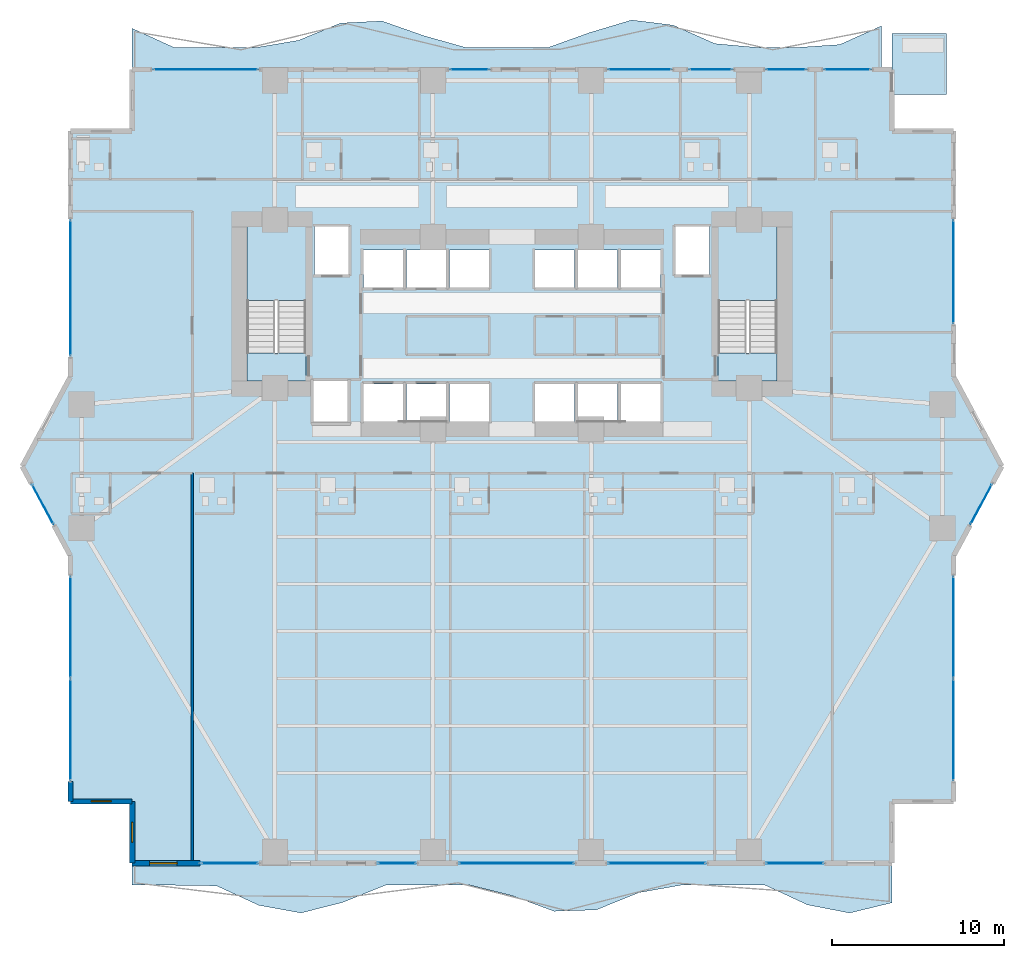
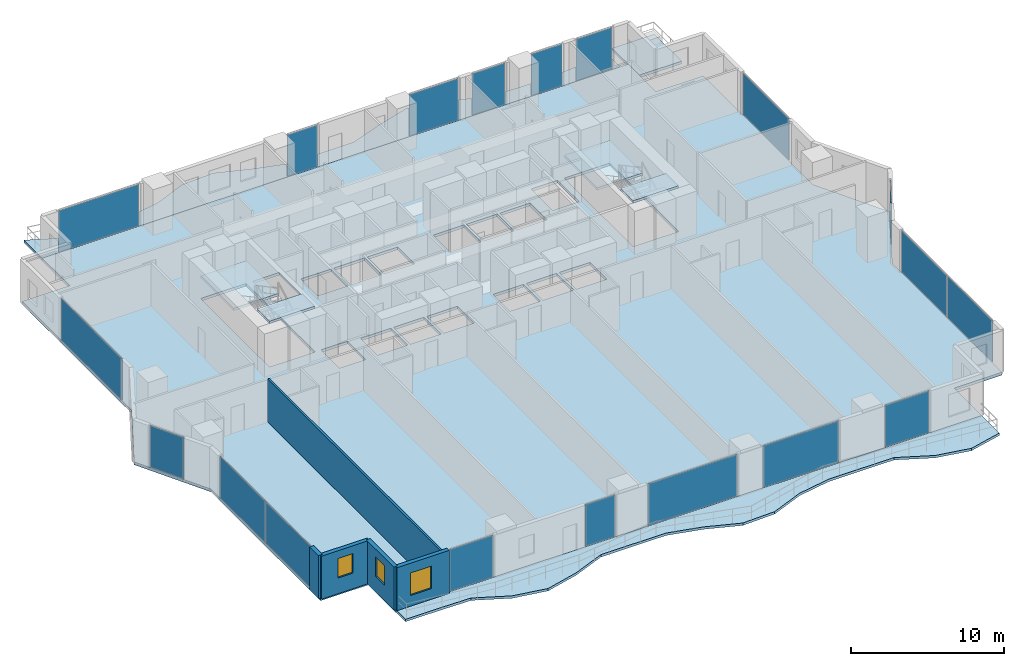
# One storey, part 18 of 28: 19 plates, 8 slabs, 5 walls, 3 windows, 3 openings, 19 elements without a shape of their own.
"""IFC4 building model written with IfcOpenShell, lengths in metres."""

import ifcopenshell
import ifcopenshell.guid

model = None  # the IFC model being written
_history = None  # IfcOwnerHistory: only IFC2X3 demands one
_inside = {}  # id of a spatial element -> (the spatial element, [elements in it])
_under = {}  # id of a project, library or spatial element -> (it, [spatial elements below it])
_declared = {}  # id of a project -> (the project, [libraries it declares])
_typed = {}  # id of a type object -> (the type object, [elements of that type])
_made_of = {}  # id of a material, layer set ... -> (it, [elements and type objects made of it])


def new_model(schema):
    """Start an empty IFC model of exactly this schema.

    Asked for "IFC4X3", IfcOpenShell would pick the latest addendum, in which some entities
    have other attributes; the version numbers below select the first issue.
    IFC2X3 requires an IfcOwnerHistory on every rooted entity: one is made here for all.
    """
    global model, _history
    if schema == "IFC4X3":
        model = ifcopenshell.file(schema_version=(4, 3, 0, 0))
    else:
        model = ifcopenshell.file(schema=schema)
    _inside.clear()
    _under.clear()
    _declared.clear()
    _typed.clear()
    _made_of.clear()
    _history = None
    if model.schema == "IFC2X3":
        org = make("IfcOrganization", Name="unknown")
        user = make(
            "IfcPersonAndOrganization",
            ThePerson=make("IfcPerson", FamilyName="unknown"),
            TheOrganization=org,
        )
        app = make(
            "IfcApplication",
            ApplicationDeveloper=org,
            Version="unknown",
            ApplicationFullName="unknown",
            ApplicationIdentifier="unknown",
        )
        _history = make(
            "IfcOwnerHistory",
            OwningUser=user,
            OwningApplication=app,
            ChangeAction="ADDED",
            CreationDate=0,
        )
    return model


def make(cls, **values):
    """One entity of the class cls with the attributes given. An attribute that is None is left unset."""
    return model.create_entity(
        cls, **{name: value for name, value in values.items() if value is not None}
    )


def rooted(cls, **values):
    """An entity with a GlobalId (a new one), such as an element, a storey or a relation."""
    return make(cls, GlobalId=ifcopenshell.guid.new(), OwnerHistory=_history, **values)


def si_unit(unit_type, name, prefix=None):
    """IfcSIUnit, for example si_unit("LENGTHUNIT", "METRE", prefix="MILLI")."""
    return make("IfcSIUnit", UnitType=unit_type, Prefix=prefix, Name=name)


def assignment(units):
    """IfcUnitAssignment: the units of a project."""
    return None if units is None else make("IfcUnitAssignment", Units=units)


def point(xyz):
    """IfcCartesianPoint."""
    return None if xyz is None else make("IfcCartesianPoint", Coordinates=xyz)


def direction(xyz):
    """IfcDirection."""
    return None if xyz is None else make("IfcDirection", DirectionRatios=xyz)


def frame(location, z_axis=None, x_axis=None):
    """IfcAxis2Placement3D, a coordinate frame: its origin and axes. An axis left out is left unset."""
    return make(
        "IfcAxis2Placement3D",
        Location=point(location),
        Axis=direction(z_axis),
        RefDirection=direction(x_axis),
    )


def frame_2d(location, x_axis=None):
    """IfcAxis2Placement2D, a coordinate frame in the plane: its origin and x axis."""
    return make(
        "IfcAxis2Placement2D", Location=point(location), RefDirection=direction(x_axis)
    )


def origin():
    """The frame at (0, 0, 0) with its axes left unset."""
    return frame((0.0, 0.0, 0.0))


def origin_2d():
    """The frame at (0, 0) in the plane with its x axis left unset."""
    return frame_2d((0.0, 0.0))


def place(relative_to, where):
    """IfcLocalPlacement: puts the frame where relative to a parent placement (None: the world)."""
    return make(
        "IfcLocalPlacement", PlacementRelTo=relative_to, RelativePlacement=where
    )


def context(
    kind, dimensions, precision=None, world=None, true_north=None, identifier=None
):
    """IfcGeometricRepresentationContext, for example the 3D "Model" context."""
    return make(
        "IfcGeometricRepresentationContext",
        ContextIdentifier=identifier,
        ContextType=kind,
        CoordinateSpaceDimension=dimensions,
        Precision=precision,
        WorldCoordinateSystem=world,
        TrueNorth=true_north,
    )


def subcontext(parent, identifier, kind, view, scale=None):
    """IfcGeometricRepresentationSubContext, for example "Body" below "Model"."""
    return make(
        "IfcGeometricRepresentationSubContext",
        ContextIdentifier=identifier,
        ContextType=kind,
        ParentContext=parent,
        TargetScale=scale,
        TargetView=view,
    )


def project(units=None, contexts=None):
    """IfcProject with its units and contexts."""
    return rooted(
        "IfcProject",
        Name="project",
        RepresentationContexts=contexts,
        UnitsInContext=assignment(units),
    )


def spatial(cls, under=None, at=None, **own):
    """A site, building, storey or space (cls), placed at a placement, below another one or the project."""
    s = rooted(cls, ObjectPlacement=at, **own)
    if under is not None:
        _under.setdefault(under.id(), (under, []))[1].append(s)
    return s


def polyline(points):
    """IfcPolyline through the points."""
    return make("IfcPolyline", Points=[point(p) for p in points])


def profile(cls, at=None, kind="AREA", **sizes):
    """A parametric profile (cls). Its sizes go by their IFC names, for example OverallWidth=200.0."""
    return make(cls, ProfileType=kind, Position=at, **sizes)


def rectangle(**sizes):
    """IfcRectangleProfileDef."""
    return profile("IfcRectangleProfileDef", **sizes)


def outline(outer, holes=None, kind="AREA"):
    """IfcArbitraryClosedProfileDef: a profile drawn as a closed curve; with holes, ...WithVoids."""
    if holes is None:
        return make("IfcArbitraryClosedProfileDef", ProfileType=kind, OuterCurve=outer)
    return make(
        "IfcArbitraryProfileDefWithVoids",
        ProfileType=kind,
        OuterCurve=outer,
        InnerCurves=holes,
    )


def extrude(swept, where, along, depth):
    """IfcExtrudedAreaSolid: the profile swept, set in the frame where, extruded along a direction by depth."""
    return make(
        "IfcExtrudedAreaSolid",
        SweptArea=swept,
        Position=where,
        ExtrudedDirection=direction(along),
        Depth=depth,
    )


def shape(context_of_items, identifier, shape_type, items):
    """IfcShapeRepresentation: the items that make up one representation, for example the "Body"."""
    return make(
        "IfcShapeRepresentation",
        ContextOfItems=context_of_items,
        RepresentationIdentifier=identifier,
        RepresentationType=shape_type,
        Items=items,
    )


def material(Name=None, Category=None):
    """IfcMaterial."""
    return make("IfcMaterial", Name=Name, Category=Category)


def layer(
    of_material, thickness, ventilated=None, Name=None, Category=None, Priority=None
):
    """IfcMaterialLayer: one layer of a wall or slab, of a material (None: an air gap)."""
    return make(
        "IfcMaterialLayer",
        Material=of_material,
        LayerThickness=thickness,
        IsVentilated=ventilated,
        Name=Name,
        Category=Category,
        Priority=Priority,
    )


def layer_set(layers, Name=None):
    """IfcMaterialLayerSet."""
    return make("IfcMaterialLayerSet", MaterialLayers=layers, LayerSetName=Name)


def made_of(thing, what):
    """Note that an element or type object is made of a material, layer set ...; save() writes the relation."""
    if what is not None:
        _made_of.setdefault(what.id(), (what, []))[1].append(thing)
    return thing


def type_object(cls, material=None, **own):
    """A type object (cls), such as IfcWallType, which elements share."""
    return made_of(rooted(cls, **own), material)


def element(
    cls,
    number,
    at=None,
    inside=None,
    cuts=None,
    type_object=None,
    material=None,
    context=None,
    identifier="Body",
    shape_type=None,
    held_by="IfcProductDefinitionShape",
    body=None,
    shapes=None,
    **own,
):
    """One element of the class cls, such as IfcWall. Its Tag is "e" and its number.

    at: its placement. inside: the storey or other place that contains it. cuts: it is an
    opening in that element (IfcRelVoidsElement). A single representation is given by context,
    identifier, shape_type and body (its items); several are given by shapes. held_by: the class
    of the entity that holds the representations. save() writes the other relations.
    """
    e = rooted(cls, Tag="e%d" % number, ObjectPlacement=at, **own)
    if body is not None:
        shapes = [shape(context, identifier, shape_type, body)]
    if shapes is not None:
        e.Representation = make(held_by, Representations=shapes)
    if inside is not None:
        _inside.setdefault(inside.id(), (inside, []))[1].append(e)
    if cuts is not None:
        rooted(
            "IfcRelVoidsElement", RelatingBuildingElement=cuts, RelatedOpeningElement=e
        )
    if type_object is not None:
        _typed.setdefault(type_object.id(), (type_object, []))[1].append(e)
    return made_of(e, material)


def fill(opening, filler):
    """IfcRelFillsElement: the door or window that sits in an opening."""
    return rooted(
        "IfcRelFillsElement",
        RelatingOpeningElement=opening,
        RelatedBuildingElement=filler,
    )


def aggregate(whole, parts):
    """IfcRelAggregates: a whole, such as a stair, and the parts it consists of."""
    return rooted("IfcRelAggregates", RelatingObject=whole, RelatedObjects=parts)


def save(model, path):
    """Write the relations noted so far, then the file.

    IfcRelAggregates (storeys below a building ...), IfcRelContainedInSpatialStructure (elements
    in a storey), IfcRelDefinesByType, IfcRelAssociatesMaterial and IfcRelDeclares: one each for
    every whole, place, type object, material and project.
    """
    for whole, parts in _under.values():
        aggregate(whole, parts)
    for where, things in _inside.values():
        rooted(
            "IfcRelContainedInSpatialStructure",
            RelatedElements=things,
            RelatingStructure=where,
        )
    for kind, things in _typed.values():
        rooted("IfcRelDefinesByType", RelatedObjects=things, RelatingType=kind)
    for what, things in _made_of.values():
        rooted("IfcRelAssociatesMaterial", RelatedObjects=things, RelatingMaterial=what)
    for by, libraries in _declared.values():
        rooted("IfcRelDeclares", RelatingContext=by, RelatedDefinitions=libraries)
    model.write(path)


model = new_model("IFC4")

# Units and contexts
model_context = context("Model", 3, precision=1e-05, world=origin(), true_north=direction((0.0, 1.0)))
body_context = subcontext(model_context, "Body", "Model", "MODEL_VIEW")
ifc_project = project(units=[si_unit("LENGTHUNIT", "METRE"), si_unit("AREAUNIT", "SQUARE_METRE"), si_unit("VOLUMEUNIT", "CUBIC_METRE"), si_unit("PLANEANGLEUNIT", "RADIAN"), si_unit("MASSUNIT", "GRAM", prefix="KILO")], contexts=[model_context])

# Site, building, storey
site_placement = place(None, origin())
site = spatial("IfcSite", under=ifc_project, at=site_placement, CompositionType="ELEMENT")
building_placement = place(site_placement, origin())
building = spatial("IfcBuilding", under=site, at=building_placement, Name="Zuhayl Quay Hotel", CompositionType="ELEMENT")
storey_placement = place(building_placement, frame((0.0, 0.0, 53.14990234375)))
storey = spatial("IfcBuildingStorey", under=building, at=storey_placement, Name="L12", CompositionType="ELEMENT", Elevation=53.14990234375)

# Curtain wall, plates
ifc_material_1 = material(Name="Anodised Aluminium 6063-T6", Category="aluminium")
ifc_layer_1 = layer(ifc_material_1, 0.18994140625, Name="Anodised Aluminium 6063-T6", Category="aluminium")
ifc_layer_set_1 = layer_set([ifc_layer_1], Name="Anodised Aluminium 6063-T6")
curtain_wall_type = type_object("IfcCurtainWallType", Name="CW_SYS_Z1", PredefinedType="USERDEFINED", material=ifc_layer_set_1)
curtain_wall_1_placement = place(storey_placement, origin())
curtain_wall_1 = element("IfcCurtainWall", 1, at=curtain_wall_1_placement, inside=storey, type_object=curtain_wall_type, Name="L12 Curtain Wall ENV_L12_E02_CW1", ObjectType="UNITISED CURTAIN WALL", PredefinedType="USERDEFINED")
ifc_material_2 = material(Name="Dark Ceramic-Fritted Solar Glass", Category="glass")
ifc_layer_2 = layer(ifc_material_2, 0.035888671875, Name="Dark Ceramic-Fritted Solar Glass", Category="glass")
ifc_layer_set_2 = layer_set([ifc_layer_2], Name="Dark Ceramic-Fritted Solar Glass")
plate_type = type_object("IfcPlateType", Name="PN_DARK_FRIT_Z1", PredefinedType="CURTAIN_PANEL", material=ifc_layer_set_2)
plate_1_placement = place(storey_placement, frame((-25.699951171875, -15.331298828125, 0.06005859375), z_axis=(0.0, 0.0, 1.0), x_axis=(0.0, 1.0, 0.0)))
plate_1 = element("IfcPlate", 2, at=plate_1_placement, type_object=plate_type, Name="CW-Z1 panel 1.1", PredefinedType="CURTAIN_PANEL", context=body_context, shape_type="SweptSolid", body=[
    extrude(rectangle(XDim=5.887451171875, YDim=0.035888671875, at=origin_2d()), origin(), (0.0, 0.0, 1.0), 3.31005859375),
])
plate_2_placement = place(storey_placement, frame((-25.699951171875, -9.36865234375, 0.06005859375), z_axis=(0.0, 0.0, 1.0), x_axis=(0.0, 1.0, 0.0)))
plate_2 = element("IfcPlate", 3, at=plate_2_placement, type_object=plate_type, Name="CW-Z1 panel 2.1", PredefinedType="CURTAIN_PANEL", context=body_context, shape_type="SweptSolid", body=[
    extrude(rectangle(XDim=5.887451171875, YDim=0.035888671875, at=origin_2d()), origin(), (0.0, 0.0, 1.0), 3.31005859375),
])
aggregate(curtain_wall_1, [plate_1, plate_2])

# Curtain wall, plate
curtain_wall_2_placement = place(storey_placement, origin())
curtain_wall_2 = element("IfcCurtainWall", 4, at=curtain_wall_2_placement, inside=storey, type_object=curtain_wall_type, Name="L12 Curtain Wall ENV_L12_E03_CW1", ObjectType="UNITISED CURTAIN WALL", PredefinedType="USERDEFINED")
plate_3_placement = place(storey_placement, frame((-27.306396484375, -2.216796875, 0.06005859375), z_axis=(0.0, 0.0, 1.0), x_axis=(-0.474091102632, 0.880475795468, 0.0)))
plate_3 = element("IfcPlate", 5, at=plate_3_placement, type_object=plate_type, Name="CW-Z1 panel 1.1", PredefinedType="CURTAIN_PANEL", context=body_context, shape_type="SweptSolid", body=[
    extrude(rectangle(XDim=2.58544921875, YDim=0.035888671875, at=origin_2d()), origin(), (0.0, 0.0, 1.0), 3.31005859375),
])
aggregate(curtain_wall_2, [plate_3])

curtain_wall_3_placement = place(storey_placement, origin())
curtain_wall_3 = element("IfcCurtainWall", 6, at=curtain_wall_3_placement, inside=storey, type_object=curtain_wall_type, Name="L12 Curtain Wall ENV_L12_E05_CW1", ObjectType="UNITISED CURTAIN WALL", PredefinedType="USERDEFINED")
plate_4_placement = place(storey_placement, frame((-25.699951171875, 10.375, 0.06005859375), z_axis=(0.0, 0.0, 1.0), x_axis=(0.0, 1.0, 0.0)))
plate_4 = element("IfcPlate", 7, at=plate_4_placement, type_object=plate_type, Name="CW-Z1 panel 1.1", PredefinedType="CURTAIN_PANEL", context=body_context, shape_type="SweptSolid", body=[
    extrude(rectangle(XDim=7.89990234375, YDim=0.035888671875, at=origin_2d()), origin(), (0.0, 0.0, 1.0), 3.31005859375),
])
aggregate(curtain_wall_3, [plate_4])

curtain_wall_4_placement = place(storey_placement, origin())
curtain_wall_4 = element("IfcCurtainWall", 8, at=curtain_wall_4_placement, inside=storey, type_object=curtain_wall_type, Name="L12 Curtain Wall ENV_L12_N_CW1", ObjectType="UNITISED CURTAIN WALL", PredefinedType="USERDEFINED")
plate_5_placement = place(storey_placement, frame((-17.8349609375, 23.10009765625, 0.06005859375), z_axis=(0.0, 0.0, 1.0), x_axis=(1.0, 0.0, 0.0)))
plate_5 = element("IfcPlate", 9, at=plate_5_placement, type_object=plate_type, Name="CW-Z1 panel 1.1", PredefinedType="CURTAIN_PANEL", context=body_context, shape_type="SweptSolid", body=[
    extrude(rectangle(XDim=6.080078125, YDim=0.035888671875, at=origin_2d()), origin(), (0.0, 0.0, 1.0), 3.31005859375),
])
aggregate(curtain_wall_4, [plate_5])

curtain_wall_5_placement = place(storey_placement, origin())
curtain_wall_5 = element("IfcCurtainWall", 10, at=curtain_wall_5_placement, inside=storey, type_object=curtain_wall_type, Name="L12 Curtain Wall ENV_L12_N_CW2", ObjectType="UNITISED CURTAIN WALL", PredefinedType="USERDEFINED")
plate_6_placement = place(storey_placement, frame((-2.467529296875, 23.10009765625, 0.06005859375), z_axis=(0.0, 0.0, 1.0), x_axis=(1.0, 0.0, 0.0)))
plate_6 = element("IfcPlate", 11, at=plate_6_placement, type_object=plate_type, Name="CW-Z1 panel 1.1", PredefinedType="CURTAIN_PANEL", context=body_context, shape_type="SweptSolid", body=[
    extrude(rectangle(XDim=2.27490234375, YDim=0.035888671875, at=origin_2d()), origin(), (0.0, 0.0, 1.0), 3.31005859375),
])
aggregate(curtain_wall_5, [plate_6])

curtain_wall_6_placement = place(storey_placement, origin())
curtain_wall_6 = element("IfcCurtainWall", 12, at=curtain_wall_6_placement, inside=storey, type_object=curtain_wall_type, Name="L12 Curtain Wall ENV_L12_N_CW3", ObjectType="UNITISED CURTAIN WALL", PredefinedType="USERDEFINED")
plate_7_placement = place(storey_placement, frame((7.43505859375, 23.10009765625, 0.06005859375), z_axis=(0.0, 0.0, 1.0), x_axis=(1.0, 0.0, 0.0)))
plate_7 = element("IfcPlate", 13, at=plate_7_placement, type_object=plate_type, Name="CW-Z1 panel 1.1", PredefinedType="CURTAIN_PANEL", context=body_context, shape_type="SweptSolid", body=[
    extrude(rectangle(XDim=3.679931640625, YDim=0.035888671875, at=origin_2d()), origin(), (0.0, 0.0, 1.0), 3.31005859375),
])
aggregate(curtain_wall_6, [plate_7])

curtain_wall_7_placement = place(storey_placement, origin())
curtain_wall_7 = element("IfcCurtainWall", 14, at=curtain_wall_7_placement, inside=storey, type_object=curtain_wall_type, Name="L12 Curtain Wall ENV_L12_N_CW4", ObjectType="UNITISED CURTAIN WALL", PredefinedType="USERDEFINED")
plate_8_placement = place(storey_placement, frame((11.56494140625, 23.10009765625, 0.06005859375), z_axis=(0.0, 0.0, 1.0), x_axis=(1.0, 0.0, 0.0)))
plate_8 = element("IfcPlate", 15, at=plate_8_placement, type_object=plate_type, Name="CW-Z1 panel 1.1", PredefinedType="CURTAIN_PANEL", context=body_context, shape_type="SweptSolid", body=[
    extrude(rectangle(XDim=2.47998046875, YDim=0.035888671875, at=origin_2d()), origin(), (0.0, 0.0, 1.0), 3.31005859375),
])
aggregate(curtain_wall_7, [plate_8])

curtain_wall_8_placement = place(storey_placement, origin())
curtain_wall_8 = element("IfcCurtainWall", 16, at=curtain_wall_8_placement, inside=storey, type_object=curtain_wall_type, Name="L12 Curtain Wall ENV_L12_N_CW5", ObjectType="UNITISED CURTAIN WALL", PredefinedType="USERDEFINED")
plate_9_placement = place(storey_placement, frame((15.955078125, 23.10009765625, 0.06005859375), z_axis=(0.0, 0.0, 1.0), x_axis=(1.0, 0.0, 0.0)))
plate_9 = element("IfcPlate", 17, at=plate_9_placement, type_object=plate_type, Name="CW-Z1 panel 1.1", PredefinedType="CURTAIN_PANEL", context=body_context, shape_type="SweptSolid", body=[
    extrude(rectangle(XDim=2.320068359375, YDim=0.035888671875, at=origin_2d()), origin(), (0.0, 0.0, 1.0), 3.31005859375),
])
aggregate(curtain_wall_8, [plate_9])

curtain_wall_9_placement = place(storey_placement, origin())
curtain_wall_9 = element("IfcCurtainWall", 18, at=curtain_wall_9_placement, inside=storey, type_object=curtain_wall_type, Name="L12 Curtain Wall ENV_L12_N_CW6", ObjectType="UNITISED CURTAIN WALL", PredefinedType="USERDEFINED")
plate_10_placement = place(storey_placement, frame((19.52001953125, 23.10009765625, 0.06005859375), z_axis=(0.0, 0.0, 1.0), x_axis=(1.0, 0.0, 0.0)))
plate_10 = element("IfcPlate", 19, at=plate_10_placement, type_object=plate_type, Name="CW-Z1 panel 1.1", PredefinedType="CURTAIN_PANEL", context=body_context, shape_type="SweptSolid", body=[
    extrude(rectangle(XDim=2.7099609375, YDim=0.035888671875, at=origin_2d()), origin(), (0.0, 0.0, 1.0), 3.31005859375),
])
aggregate(curtain_wall_9, [plate_10])

curtain_wall_10_placement = place(storey_placement, origin())
curtain_wall_10 = element("IfcCurtainWall", 20, at=curtain_wall_10_placement, inside=storey, type_object=curtain_wall_type, Name="L12 Curtain Wall ENV_L12_E11_CW1", ObjectType="UNITISED CURTAIN WALL", PredefinedType="USERDEFINED")
plate_11_placement = place(storey_placement, frame((25.699951171875, 11.324951171875, 0.06005859375), z_axis=(0.0, 0.0, 1.0), x_axis=(0.0, -1.0, 0.0)))
plate_11 = element("IfcPlate", 21, at=plate_11_placement, type_object=plate_type, Name="CW-Z1 panel 1.1", PredefinedType="CURTAIN_PANEL", context=body_context, shape_type="SweptSolid", body=[
    extrude(rectangle(XDim=6.0, YDim=0.035888671875, at=origin_2d()), origin(), (0.0, 0.0, 1.0), 3.31005859375),
])
aggregate(curtain_wall_10, [plate_11])

curtain_wall_11_placement = place(storey_placement, origin())
curtain_wall_11 = element("IfcCurtainWall", 22, at=curtain_wall_11_placement, inside=storey, type_object=curtain_wall_type, Name="L12 Curtain Wall ENV_L12_E13_CW1", ObjectType="UNITISED CURTAIN WALL", PredefinedType="USERDEFINED")
plate_12_placement = place(storey_placement, frame((27.306396484375, -2.216796875, 0.06005859375), z_axis=(0.0, 0.0, 1.0), x_axis=(-0.474091102632, -0.880475795468, 0.0)))
plate_12 = element("IfcPlate", 23, at=plate_12_placement, type_object=plate_type, Name="CW-Z1 panel 1.1", PredefinedType="CURTAIN_PANEL", context=body_context, shape_type="SweptSolid", body=[
    extrude(rectangle(XDim=2.58544921875, YDim=0.035888671875, at=origin_2d()), origin(), (0.0, 0.0, 1.0), 3.31005859375),
])
aggregate(curtain_wall_11, [plate_12])

# Curtain wall, plates
curtain_wall_12_placement = place(storey_placement, origin())
curtain_wall_12 = element("IfcCurtainWall", 24, at=curtain_wall_12_placement, inside=storey, type_object=curtain_wall_type, Name="L12 Curtain Wall ENV_L12_E14_CW1", ObjectType="UNITISED CURTAIN WALL", PredefinedType="USERDEFINED")
plate_13_placement = place(storey_placement, frame((25.699951171875, -9.36865234375, 0.06005859375), z_axis=(0.0, 0.0, 1.0), x_axis=(0.0, -1.0, 0.0)))
plate_13 = element("IfcPlate", 25, at=plate_13_placement, type_object=plate_type, Name="CW-Z1 panel 1.1", PredefinedType="CURTAIN_PANEL", context=body_context, shape_type="SweptSolid", body=[
    extrude(rectangle(XDim=5.887451171875, YDim=0.035888671875, at=origin_2d()), origin(), (0.0, 0.0, 1.0), 3.31005859375),
])
plate_14_placement = place(storey_placement, frame((25.699951171875, -15.331298828125, 0.06005859375), z_axis=(0.0, 0.0, 1.0), x_axis=(0.0, -1.0, 0.0)))
plate_14 = element("IfcPlate", 26, at=plate_14_placement, type_object=plate_type, Name="CW-Z1 panel 2.1", PredefinedType="CURTAIN_PANEL", context=body_context, shape_type="SweptSolid", body=[
    extrude(rectangle(XDim=5.887451171875, YDim=0.035888671875, at=origin_2d()), origin(), (0.0, 0.0, 1.0), 3.31005859375),
])
aggregate(curtain_wall_12, [plate_13, plate_14])

# Curtain wall, plate
curtain_wall_13_placement = place(storey_placement, origin())
curtain_wall_13 = element("IfcCurtainWall", 27, at=curtain_wall_13_placement, inside=storey, type_object=curtain_wall_type, Name="L12 Curtain Wall ENV_L12_S_CW1", ObjectType="UNITISED CURTAIN WALL", PredefinedType="USERDEFINED")
plate_15_placement = place(storey_placement, frame((16.455078125, -23.10009765625, 0.06005859375), z_axis=(0.0, 0.0, 1.0), x_axis=(-1.0, 0.0, 0.0)))
plate_15 = element("IfcPlate", 28, at=plate_15_placement, type_object=plate_type, Name="CW-Z1 panel 1.1", PredefinedType="CURTAIN_PANEL", context=body_context, shape_type="SweptSolid", body=[
    extrude(rectangle(XDim=3.320068359375, YDim=0.035888671875, at=origin_2d()), origin(), (0.0, 0.0, 1.0), 3.31005859375),
])
aggregate(curtain_wall_13, [plate_15])

curtain_wall_14_placement = place(storey_placement, origin())
curtain_wall_14 = element("IfcCurtainWall", 29, at=curtain_wall_14_placement, inside=storey, type_object=curtain_wall_type, Name="L12 Curtain Wall ENV_L12_S_CW2", ObjectType="UNITISED CURTAIN WALL", PredefinedType="USERDEFINED")
plate_16_placement = place(storey_placement, frame((8.43505859375, -23.10009765625, 0.06005859375), z_axis=(0.0, 0.0, 1.0), x_axis=(-1.0, 0.0, 0.0)))
plate_16 = element("IfcPlate", 30, at=plate_16_placement, type_object=plate_type, Name="CW-Z1 panel 1.1", PredefinedType="CURTAIN_PANEL", context=body_context, shape_type="SweptSolid", body=[
    extrude(rectangle(XDim=5.679931640625, YDim=0.035888671875, at=origin_2d()), origin(), (0.0, 0.0, 1.0), 3.31005859375),
])
aggregate(curtain_wall_14, [plate_16])

curtain_wall_15_placement = place(storey_placement, origin())
curtain_wall_15 = element("IfcCurtainWall", 31, at=curtain_wall_15_placement, inside=storey, type_object=curtain_wall_type, Name="L12 Curtain Wall ENV_L12_S_CW3", ObjectType="UNITISED CURTAIN WALL", PredefinedType="USERDEFINED")
plate_17_placement = place(storey_placement, frame((0.264892578125, -23.10009765625, 0.06005859375), z_axis=(0.0, 0.0, 1.0), x_axis=(-1.0, 0.0, 0.0)))
plate_17 = element("IfcPlate", 32, at=plate_17_placement, type_object=plate_type, Name="CW-Z1 panel 1.1", PredefinedType="CURTAIN_PANEL", context=body_context, shape_type="SweptSolid", body=[
    extrude(rectangle(XDim=6.679931640625, YDim=0.035888671875, at=origin_2d()), origin(), (0.0, 0.0, 1.0), 3.31005859375),
])
aggregate(curtain_wall_15, [plate_17])

curtain_wall_16_placement = place(storey_placement, origin())
curtain_wall_16 = element("IfcCurtainWall", 33, at=curtain_wall_16_placement, inside=storey, type_object=curtain_wall_type, Name="L12 Curtain Wall ENV_L12_S_CW4", ObjectType="UNITISED CURTAIN WALL", PredefinedType="USERDEFINED")
plate_18_placement = place(storey_placement, frame((-6.702392578125, -23.10009765625, 0.06005859375), z_axis=(0.0, 0.0, 1.0), x_axis=(-1.0, 0.0, 0.0)))
plate_18 = element("IfcPlate", 34, at=plate_18_placement, type_object=plate_type, Name="CW-Z1 panel 1.1", PredefinedType="CURTAIN_PANEL", context=body_context, shape_type="SweptSolid", body=[
    extrude(rectangle(XDim=2.215087890625, YDim=0.035888671875, at=origin_2d()), origin(), (0.0, 0.0, 1.0), 3.31005859375),
])
aggregate(curtain_wall_16, [plate_18])

curtain_wall_17_placement = place(storey_placement, origin())
curtain_wall_17 = element("IfcCurtainWall", 35, at=curtain_wall_17_placement, inside=storey, type_object=curtain_wall_type, Name="L12 Curtain Wall ENV_L12_S_CW5", ObjectType="UNITISED CURTAIN WALL", PredefinedType="USERDEFINED")
plate_19_placement = place(storey_placement, frame((-16.43505859375, -23.10009765625, 0.06005859375), z_axis=(0.0, 0.0, 1.0), x_axis=(-1.0, 0.0, 0.0)))
plate_19 = element("IfcPlate", 36, at=plate_19_placement, type_object=plate_type, Name="CW-Z1 panel 1.1", PredefinedType="CURTAIN_PANEL", context=body_context, shape_type="SweptSolid", body=[
    extrude(rectangle(XDim=3.280029296875, YDim=0.035888671875, at=origin_2d()), origin(), (0.0, 0.0, 1.0), 3.31005859375),
])
aggregate(curtain_wall_17, [plate_19])

# Slabs
ifc_material_3 = material(Name="Concrete C45/55", Category="concrete")
ifc_layer_3 = layer(ifc_material_3, 0.195068359375, Name="Concrete C45/55", Category="concrete")
ifc_layer_set_3 = layer_set([ifc_layer_3], Name="Concrete C45/55")
slab_type_1 = type_object("IfcSlabType", Name="SL_BALCONY_195", PredefinedType="FLOOR", material=ifc_layer_set_3)
slab_1_placement = place(storey_placement, frame((0.0, 0.0, -0.19482421875)))
element("IfcSlab", 37, at=slab_1_placement, inside=storey, type_object=slab_type_1, Name="L12 Exterior Rippling Balcony Slab North", PredefinedType="FLOOR", context=body_context, shape_type="SweptSolid", body=[
    extrude(outline(polyline([(-22.10009765625, 23.10009765625), (21.5, 23.10009765625), (21.5, 25.6337890625), (19.077880859375, 24.543701171875), (16.655517578125, 24.3798828125), (14.2333984375, 24.3798828125), (11.81103515625, 24.59765625), (9.388916015625, 25.671630859375), (6.966796875, 25.97265625), (4.54443359375, 25.248291015625), (2.122314453125, 24.3798828125), (-0.300048828125, 24.3798828125), (-2.72216796875, 24.3798828125), (-5.144287109375, 25.06298828125), (-7.566650390625, 25.9169921875), (-9.989013671875, 25.79248046875), (-12.4111328125, 24.793701171875), (-14.833251953125, 24.3798828125), (-17.255615234375, 24.3798828125), (-19.677734375, 24.3798828125), (-22.10009765625, 25.484619140625), (-22.10009765625, 23.10009765625)])), origin(), (0.0, 0.0, 1.0), 0.19482421875),
])
slab_2_placement = place(storey_placement, frame((0.0, 0.0, -0.19482421875)))
element("IfcSlab", 38, at=slab_2_placement, inside=storey, type_object=slab_type_1, Name="L12 Exterior Rippling Balcony Slab South", PredefinedType="FLOOR", context=body_context, shape_type="SweptSolid", body=[
    extrude(outline(polyline([(-22.10009765625, -24.3798828125), (-19.644287109375, -24.3798828125), (-17.18896484375, -24.416015625), (-14.7333984375, -25.54931640625), (-12.27783203125, -25.9951171875), (-9.822265625, -25.370361328125), (-7.36669921875, -24.3798828125), (-4.9111328125, -24.3798828125), (-2.45556640625, -24.3798828125), (0.0, -24.993896484375), (2.45556640625, -25.896240234375), (4.9111328125, -25.81298828125), (7.36669921875, -24.8154296875), (9.822265625, -24.3798828125), (12.27783203125, -24.3798828125), (14.7333984375, -24.3798828125), (17.18896484375, -25.51953125), (19.644287109375, -25.998046875), (22.10009765625, -25.403076171875), (22.10009765625, -23.10009765625), (-22.10009765625, -23.10009765625), (-22.10009765625, -24.3798828125)])), origin(), (0.0, 0.0, 1.0), 0.19482421875),
])
ifc_layer_4 = layer(ifc_material_3, 0.219970703125, Name="Concrete C45/55", Category="concrete")
ifc_layer_set_4 = layer_set([ifc_layer_4], Name="Concrete C45/55")
slab_type_2 = type_object("IfcSlabType", Name="SL_FLOOR_220", PredefinedType="FLOOR", material=ifc_layer_set_4)
slab_3_placement = place(storey_placement, frame((0.0, 0.0, -0.219970703125)))
element("IfcSlab", 39, at=slab_3_placement, inside=storey, type_object=slab_type_2, Name="L12 Structural Floor Slab", PredefinedType="FLOOR", context=body_context, shape_type="SweptSolid", body=[
    extrude(outline(polyline([(-22.10009765625, -23.10009765625), (22.10009765625, -23.10009765625), (22.10009765625, -19.5), (25.699951171875, -19.5), (25.699951171875, -5.199951171875), (28.5, 0.0), (25.699951171875, 5.199951171875), (25.699951171875, 19.5), (22.10009765625, 19.5), (22.10009765625, 23.10009765625), (-22.10009765625, 23.10009765625), (-22.10009765625, 19.5), (-25.699951171875, 19.5), (-25.699951171875, 5.199951171875), (-28.5, 0.0), (-25.699951171875, -5.199951171875), (-25.699951171875, -19.5), (-22.10009765625, -19.5), (-22.10009765625, -23.10009765625)]), holes=[polyline([(-12.0, 4.949951171875), (-12.0, 13.949951171875), (-15.429931640625, 13.949951171875), (-15.429931640625, 4.949951171875), (-12.0, 4.949951171875)]), polyline([(15.429931640625, 4.949951171875), (15.429931640625, 13.949951171875), (12.0, 13.949951171875), (12.0, 4.949951171875), (15.429931640625, 4.949951171875)]), polyline([(-11.5, 11.14990234375), (-9.5, 11.14990234375), (-9.5, 13.949951171875), (-11.5, 13.949951171875), (-11.5, 11.14990234375)]), polyline([(9.5, 11.14990234375), (11.5, 11.14990234375), (11.5, 13.949951171875), (9.5, 13.949951171875), (9.5, 11.14990234375)]), polyline([(-8.64990234375, 2.60009765625), (-6.35009765625, 2.60009765625), (-6.35009765625, 4.800048828125), (-8.64990234375, 4.800048828125), (-8.64990234375, 2.60009765625)]), polyline([(-6.14990234375, 2.60009765625), (-3.85009765625, 2.60009765625), (-3.85009765625, 4.800048828125), (-6.14990234375, 4.800048828125), (-6.14990234375, 2.60009765625)]), polyline([(-8.64990234375, 10.39990234375), (-6.35009765625, 10.39990234375), (-6.35009765625, 12.60009765625), (-8.64990234375, 12.60009765625), (-8.64990234375, 10.39990234375)]), polyline([(-6.14990234375, 10.39990234375), (-3.85009765625, 10.39990234375), (-3.85009765625, 12.60009765625), (-6.14990234375, 12.60009765625), (-6.14990234375, 10.39990234375)]), polyline([(-3.64990234375, 2.60009765625), (-1.35009765625, 2.60009765625), (-1.35009765625, 4.800048828125), (-3.64990234375, 4.800048828125), (-3.64990234375, 2.60009765625)]), polyline([(1.35009765625, 2.60009765625), (3.64990234375, 2.60009765625), (3.64990234375, 4.800048828125), (1.35009765625, 4.800048828125), (1.35009765625, 2.60009765625)]), polyline([(-3.64990234375, 10.39990234375), (-1.35009765625, 10.39990234375), (-1.35009765625, 12.60009765625), (-3.64990234375, 12.60009765625), (-3.64990234375, 10.39990234375)]), polyline([(1.35009765625, 10.39990234375), (3.64990234375, 10.39990234375), (3.64990234375, 12.60009765625), (1.35009765625, 12.60009765625), (1.35009765625, 10.39990234375)]), polyline([(3.85009765625, 2.60009765625), (6.14990234375, 2.60009765625), (6.14990234375, 4.800048828125), (3.85009765625, 4.800048828125), (3.85009765625, 2.60009765625)]), polyline([(6.35009765625, 2.60009765625), (8.64990234375, 2.60009765625), (8.64990234375, 4.800048828125), (6.35009765625, 4.800048828125), (6.35009765625, 2.60009765625)]), polyline([(3.85009765625, 10.39990234375), (6.14990234375, 10.39990234375), (6.14990234375, 12.60009765625), (3.85009765625, 12.60009765625), (3.85009765625, 10.39990234375)]), polyline([(6.35009765625, 10.39990234375), (8.64990234375, 10.39990234375), (8.64990234375, 12.60009765625), (6.35009765625, 12.60009765625), (6.35009765625, 10.39990234375)]), polyline([(-11.550048828125, 2.550048828125), (-9.550048828125, 2.550048828125), (-9.550048828125, 4.949951171875), (-11.550048828125, 4.949951171875), (-11.550048828125, 2.550048828125)])]), origin(), (0.0, 0.0, 1.0), 0.219970703125),
])

# Stair, slabs
stair_type = type_object("IfcStairType", Name="ST_DOGLEG_TOWER", PredefinedType="HALF_TURN_STAIR", material=ifc_material_3)
stair_1_placement = place(storey_placement, origin())
stair_1 = element("IfcStair", 40, at=stair_1_placement, inside=storey, type_object=stair_type, Name="L12 Smokeproof Exit Stair ST1", PredefinedType="HALF_TURN_STAIR")
ifc_layer_5 = layer(ifc_material_3, 0.199951171875, Name="Concrete C45/55", Category="concrete")
ifc_layer_set_5 = layer_set([ifc_layer_5], Name="Concrete C45/55")
slab_type_3 = type_object("IfcSlabType", Name="SL_STAIR_LANDING_200", PredefinedType="LANDING", material=ifc_layer_set_5)
slab_4_placement = place(storey_placement, frame((0.0, 0.0, 1.625)))
slab_4 = element("IfcSlab", 41, at=slab_4_placement, type_object=slab_type_3, Name="ST1 landing 1", PredefinedType="LANDING", context=body_context, shape_type="SweptSolid", body=[
    extrude(outline(polyline([(-12.0, 9.64990234375), (-12.0, 13.949951171875), (-15.429931640625, 13.949951171875), (-15.429931640625, 9.64990234375), (-12.0, 9.64990234375)])), origin(), (0.0, 0.0, 1.0), 0.2001953125),
])
slab_5_placement = place(storey_placement, frame((0.0, 0.0, 3.4501953125)))
slab_5 = element("IfcSlab", 42, at=slab_5_placement, type_object=slab_type_3, Name="ST1 landing 2", PredefinedType="LANDING", context=body_context, shape_type="SweptSolid", body=[
    extrude(outline(polyline([(-12.0, 4.949951171875), (-12.0, 6.590087890625), (-15.429931640625, 6.590087890625), (-15.429931640625, 4.949951171875), (-12.0, 4.949951171875)])), origin(), (0.0, 0.0, 1.0), 0.199951171875),
])
aggregate(stair_1, [slab_4, slab_5])

stair_2_placement = place(storey_placement, origin())
stair_2 = element("IfcStair", 43, at=stair_2_placement, inside=storey, type_object=stair_type, Name="L12 Smokeproof Exit Stair ST2", PredefinedType="HALF_TURN_STAIR")
slab_6_placement = place(storey_placement, frame((0.0, 0.0, 1.625)))
slab_6 = element("IfcSlab", 44, at=slab_6_placement, type_object=slab_type_3, Name="ST2 landing 1", PredefinedType="LANDING", context=body_context, shape_type="SweptSolid", body=[
    extrude(outline(polyline([(15.429931640625, 9.64990234375), (15.429931640625, 13.949951171875), (12.0, 13.949951171875), (12.0, 9.64990234375), (15.429931640625, 9.64990234375)])), origin(), (0.0, 0.0, 1.0), 0.2001953125),
])
slab_7_placement = place(storey_placement, frame((0.0, 0.0, 3.4501953125)))
slab_7 = element("IfcSlab", 45, at=slab_7_placement, type_object=slab_type_3, Name="ST2 landing 2", PredefinedType="LANDING", context=body_context, shape_type="SweptSolid", body=[
    extrude(outline(polyline([(15.429931640625, 4.949951171875), (15.429931640625, 6.590087890625), (12.0, 6.590087890625), (12.0, 4.949951171875), (15.429931640625, 4.949951171875)])), origin(), (0.0, 0.0, 1.0), 0.199951171875),
])
aggregate(stair_2, [slab_6, slab_7])

# Slab
ifc_layer_6 = layer(ifc_material_3, 0.219970703125, Name="Concrete C45/55", Category="concrete")
ifc_layer_set_6 = layer_set([ifc_layer_6], Name="Concrete C45/55")
slab_type_4 = type_object("IfcSlabType", Name="SL_TERRACE_235", PredefinedType="FLOOR", material=ifc_layer_set_6)
slab_8_placement = place(storey_placement, frame((0.0, 0.0, -0.219970703125)))
element("IfcSlab", 46, at=slab_8_placement, inside=storey, type_object=slab_type_4, Name="L12 Exterior Sky-Terrace Slab L12_SPIRAL_NE", PredefinedType="FLOOR", context=body_context, shape_type="SweptSolid", body=[
    extrude(outline(polyline([(22.10009765625, 21.64990234375), (25.300048828125, 21.64990234375), (25.300048828125, 25.199951171875), (22.10009765625, 25.199951171875), (22.10009765625, 21.64990234375)])), origin(), (0.0, 0.0, 1.0), 0.219970703125),
])

# Wall, opening, window
ifc_material_4 = material(Name="Precast concrete C45/55", Category="concrete")
ifc_layer_7 = layer(ifc_material_4, 0.300048828125, Name="Precast concrete C45/55", Category="concrete")
ifc_layer_set_7 = layer_set([ifc_layer_7], Name="Precast concrete C45/55")
wall_type_1 = type_object("IfcWallType", Name="WL_EXT_300", PredefinedType="STANDARD", material=ifc_layer_set_7)
wall_1_placement = place(storey_placement, frame((-22.10009765625, -19.5, 0.0), z_axis=(0.0, 0.0, 1.0), x_axis=(-1.0, 0.0, 0.0)))
wall_1 = element("IfcWall", 47, at=wall_1_placement, inside=storey, type_object=wall_type_1, Name="L12 Exterior Precast Wall ENV_L12_EW01", PredefinedType="STANDARD", context=body_context, shape_type="SweptSolid", body=[
    extrude(rectangle(XDim=3.599853515625, YDim=0.300048828125, at=frame_2d((1.7998046875, 0.0))), origin(), (0.0, 0.0, 1.0), 3.43017578125),
])
opening_1_placement = place(wall_1_placement, frame((1.22509765625, 0.0, 1.25)))
opening_1 = element("IfcOpeningElement", 48, at=opening_1_placement, cuts=wall_1, Name="Opening W01N", PredefinedType="OPENING", context=body_context, shape_type="SweptSolid", body=[
    extrude(rectangle(XDim=1.14990234375, YDim=1.550048828125, at=frame_2d((0.574951171875, 0.77490234375))), frame((0.0, 0.159912109375, 0.0), z_axis=(0.0, -1.0, 0.0), x_axis=(1.0, 0.0, 0.0)), (0.0, 0.0, 1.0), 0.320068359375),
])
window_type_1 = type_object("IfcWindowType", Name="WN_NOTCH_1350", PartitioningType="SINGLE_PANEL", PredefinedType="WINDOW", material=ifc_material_2)
window_1_placement = place(opening_1_placement, origin())
window_1 = element("IfcWindow", 49, at=window_1_placement, inside=storey, type_object=window_type_1, Name="L12 Corner Notch Window 1", OverallHeight=1.550048828125, OverallWidth=1.14990234375, PartitioningType="SINGLE_PANEL", PredefinedType="WINDOW", context=body_context, shape_type="SweptSolid", body=[
    extrude(rectangle(XDim=1.14990234375, YDim=1.550048828125, at=frame_2d((0.574951171875, 0.77490234375))), frame((0.0, 0.030029296875, 0.0), z_axis=(0.0, -1.0, 0.0), x_axis=(1.0, 0.0, 0.0)), (0.0, 0.0, 1.0), 0.06005859375),
])
fill(opening_1, window_1)

# Wall
wall_2_placement = place(storey_placement, frame((-25.699951171875, -19.5, 0.0), z_axis=(0.0, 0.0, 1.0), x_axis=(0.0, 1.0, 0.0)))
element("IfcWall", 50, at=wall_2_placement, inside=storey, type_object=wall_type_1, Name="L12 Exterior Precast Wall ENV_L12_E02_EW1", PredefinedType="STANDARD", context=body_context, shape_type="SweptSolid", body=[
    extrude(rectangle(XDim=1.14990234375, YDim=0.300048828125, at=frame_2d((0.574951171875, 0.0))), origin(), (0.0, 0.0, 1.0), 3.43017578125),
])

# Wall, opening, window
wall_3_placement = place(storey_placement, frame((-18.14990234375, -23.10009765625, 0.0), z_axis=(0.0, 0.0, 1.0), x_axis=(-1.0, 0.0, 0.0)))
wall_3 = element("IfcWall", 51, at=wall_3_placement, inside=storey, type_object=wall_type_1, Name="L12 Exterior Precast Wall ENV_L12_S_EW6", PredefinedType="STANDARD", context=body_context, shape_type="SweptSolid", body=[
    extrude(rectangle(XDim=3.9501953125, YDim=0.300048828125, at=frame_2d((1.97509765625, 0.0))), origin(), (0.0, 0.0, 1.0), 3.43017578125),
])
opening_2_placement = place(wall_3_placement, frame((1.340087890625, 0.0, 0.85009765625)))
opening_2 = element("IfcOpeningElement", 52, at=opening_2_placement, cuts=wall_3, Name="Opening W01", PredefinedType="OPENING", context=body_context, shape_type="SweptSolid", body=[
    extrude(rectangle(XDim=1.60009765625, YDim=1.800048828125, at=frame_2d((0.800048828125, 0.89990234375))), frame((0.0, 0.159912109375, 0.0), z_axis=(0.0, -1.0, 0.0), x_axis=(1.0, 0.0, 0.0)), (0.0, 0.0, 1.0), 0.320068359375),
])
window_type_2 = type_object("IfcWindowType", Name="WN_OPERABLE_1600", PartitioningType="DOUBLE_PANEL_VERTICAL", PredefinedType="WINDOW", material=ifc_material_2)
window_2_placement = place(opening_2_placement, origin())
window_2 = element("IfcWindow", 53, at=window_2_placement, inside=storey, type_object=window_type_2, Name="L12 Operable Facade Window 6-1", OverallHeight=1.800048828125, OverallWidth=1.60009765625, PartitioningType="SINGLE_PANEL", PredefinedType="WINDOW", context=body_context, shape_type="SweptSolid", body=[
    extrude(rectangle(XDim=1.60009765625, YDim=1.800048828125, at=frame_2d((0.800048828125, 0.89990234375))), frame((0.0, 0.030029296875, 0.0), z_axis=(0.0, -1.0, 0.0), x_axis=(1.0, 0.0, 0.0)), (0.0, 0.0, 1.0), 0.06005859375),
])
fill(opening_2, window_2)

wall_4_placement = place(storey_placement, frame((-22.10009765625, -23.10009765625, 0.0), z_axis=(0.0, 0.0, 1.0), x_axis=(0.0, 1.0, 0.0)))
wall_4 = element("IfcWall", 54, at=wall_4_placement, inside=storey, type_object=wall_type_1, Name="L12 Exterior Precast Wall ENV_L12_EW18", PredefinedType="STANDARD", context=body_context, shape_type="SweptSolid", body=[
    extrude(rectangle(XDim=3.60009765625, YDim=0.300048828125, at=frame_2d((1.800048828125, 0.0))), origin(), (0.0, 0.0, 1.0), 3.43017578125),
])
opening_3_placement = place(wall_4_placement, frame((1.22509765625, 0.0, 1.25)))
opening_3 = element("IfcOpeningElement", 55, at=opening_3_placement, cuts=wall_4, Name="Opening W01N", PredefinedType="OPENING", context=body_context, shape_type="SweptSolid", body=[
    extrude(rectangle(XDim=1.14990234375, YDim=1.550048828125, at=frame_2d((0.574951171875, 0.77490234375))), frame((0.0, 0.159912109375, 0.0), z_axis=(0.0, -1.0, 0.0), x_axis=(1.0, 0.0, 0.0)), (0.0, 0.0, 1.0), 0.320068359375),
])
window_3_placement = place(opening_3_placement, origin())
window_3 = element("IfcWindow", 56, at=window_3_placement, inside=storey, type_object=window_type_1, Name="L12 Corner Notch Window 18", OverallHeight=1.550048828125, OverallWidth=1.14990234375, PartitioningType="SINGLE_PANEL", PredefinedType="WINDOW", context=body_context, shape_type="SweptSolid", body=[
    extrude(rectangle(XDim=1.14990234375, YDim=1.550048828125, at=frame_2d((0.574951171875, 0.77490234375))), frame((0.0, 0.030029296875, 0.0), z_axis=(0.0, -1.0, 0.0), x_axis=(1.0, 0.0, 0.0)), (0.0, 0.0, 1.0), 0.06005859375),
])
fill(opening_3, window_3)

# Wall
ifc_material_5 = material(Name="Acoustic Gypsum Partition STC-58")
ifc_layer_8 = layer(ifc_material_5, 0.14990234375, Name="Acoustic Gypsum Partition STC-58")
ifc_layer_set_8 = layer_set([ifc_layer_8], Name="Acoustic Gypsum Partition STC-58")
wall_type_2 = type_object("IfcWallType", Name="WL_PART_150", PredefinedType="PARTITIONING", material=ifc_layer_set_8)
wall_5_placement = place(storey_placement, frame((-18.60009765625, -23.02001953125, 0.0), z_axis=(0.0, 0.0, 1.0), x_axis=(0.0, 1.0, 0.0)))
element("IfcWall", 57, at=wall_5_placement, inside=storey, type_object=wall_type_2, Name="L12 Partition IW_L12_SU01A_E", PredefinedType="PARTITIONING", context=body_context, shape_type="SweptSolid", body=[
    extrude(rectangle(XDim=22.6201171875, YDim=0.14990234375, at=frame_2d((11.31005859375, 0.0))), origin(), (0.0, 0.0, 1.0), 3.43017578125),
])

save(model, "model.ifc")
